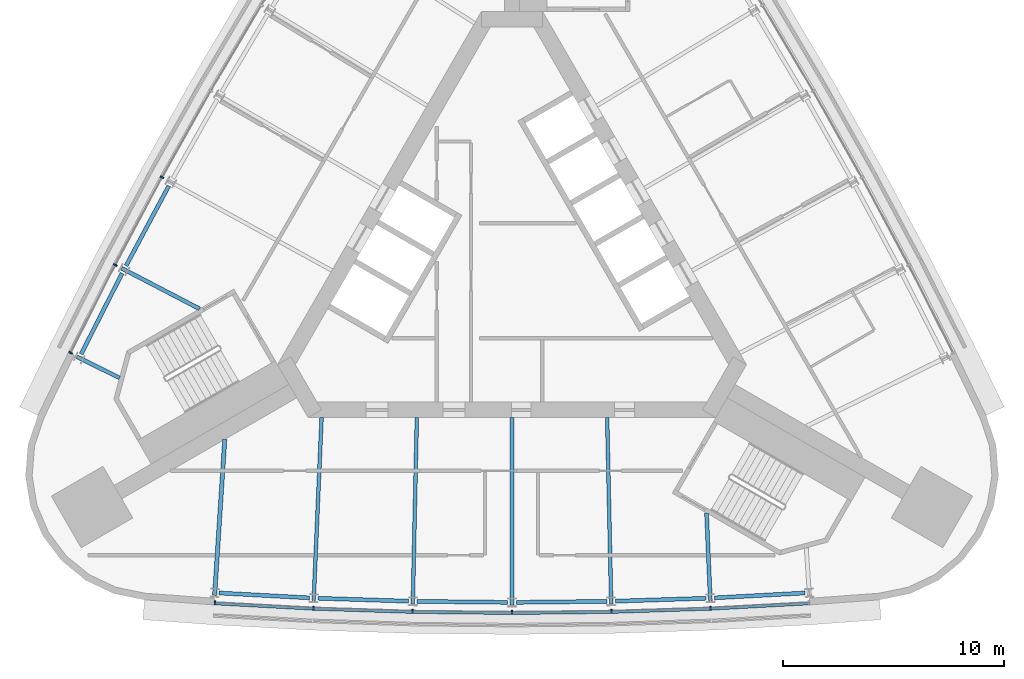
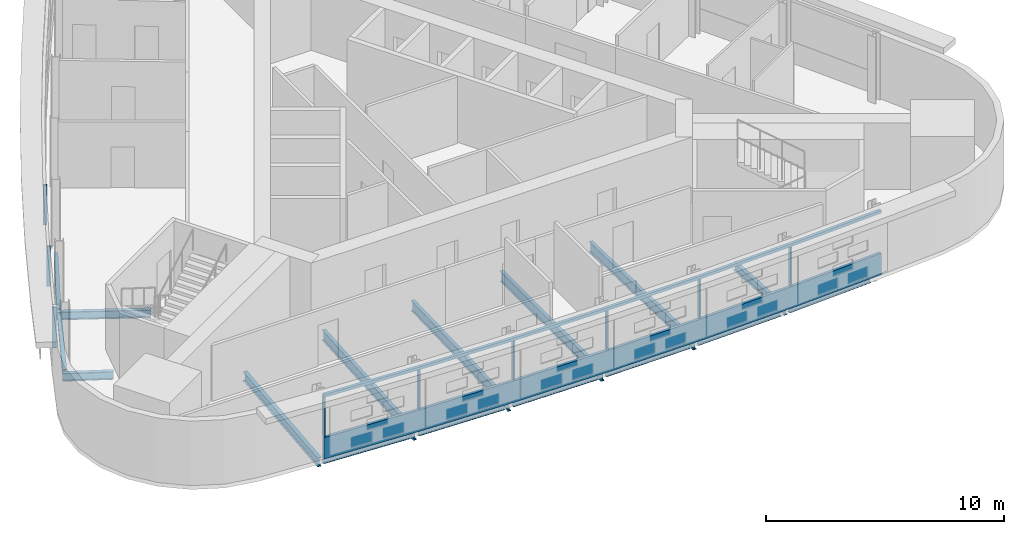
# One storey, part 2 of 10: 16 beams, 11 members, 2 elements without a shape of their own.
"""IFC4 building model written with IfcOpenShell, lengths in metres."""

from ifc_helpers import new_model, si_unit, direction, frame, origin, origin_2d, place, context, subcontext, project, spatial, polyline, rectangle, i_section, outline, extrude, material, material_profile, profile_set, type_object, element, aggregate, save


model = new_model("IFC4")

# Units and contexts
model_context = context("Model", 3, precision=1e-05, world=origin(), true_north=direction((0.0, 1.0)))
body_context = subcontext(model_context, "Body", "Model", "MODEL_VIEW")
ifc_project = project(units=[si_unit("LENGTHUNIT", "METRE"), si_unit("AREAUNIT", "SQUARE_METRE"), si_unit("VOLUMEUNIT", "CUBIC_METRE"), si_unit("PLANEANGLEUNIT", "RADIAN"), si_unit("MASSUNIT", "GRAM", prefix="KILO")], contexts=[model_context])

# Site, building, storey
site_placement = place(None, origin())
site = spatial("IfcSite", under=ifc_project, at=site_placement, CompositionType="ELEMENT")
building_placement = place(site_placement, origin())
building = spatial("IfcBuilding", under=site, at=building_placement, Name="Noor Cloister Tower", CompositionType="ELEMENT")
storey_placement = place(building_placement, frame((0.0, 0.0, 195.89990234375)))
storey = spatial("IfcBuildingStorey", under=building, at=storey_placement, Name="L50", CompositionType="ELEMENT", Elevation=195.89990234375)

# Curtain wall, member
ifc_material_1 = material(Name="Aluminium 6063-T6 anodised", Category="aluminium")
curtain_wall_type = type_object("IfcCurtainWallType", Name="Ribbon curtain wall, upper tower CW5", PredefinedType="NOTDEFINED", material=ifc_material_1)
curtain_wall_1_placement = place(storey_placement, origin())
curtain_wall_1 = element("IfcCurtainWall", 1, at=curtain_wall_1_placement, inside=storey, type_object=curtain_wall_type, Name="CW5 L50 S run 2", PredefinedType="NOTDEFINED")
ifc_material_2 = material(Name="Aluminium 6063-T6 anodised", Category="aluminium")
member_type_1 = type_object("IfcMemberType", Name="Head transom CW5 150", PredefinedType="USERDEFINED", material=ifc_material_2)
member_1_placement = place(storey_placement, frame((0.0, 0.0, 3.150146484375)))
member_1 = element("IfcMember", 2, at=member_1_placement, type_object=member_type_1, Name="CW5 head transom", ObjectType="TRANSOM", PredefinedType="USERDEFINED", context=body_context, shape_type="SweptSolid", body=[
    extrude(outline(polyline([(-13.490478515625, -15.404052734375), (-8.9970703125, -15.6474609375), (-4.499755859375, -15.79345703125), (0.0, -15.84228515625), (4.499755859375, -15.79345703125), (8.9970703125, -15.6474609375), (13.490478515625, -15.404052734375), (13.48291015625, -15.264404296875), (8.9912109375, -15.507568359375), (4.49658203125, -15.653564453125), (0.0, -15.7021484375), (-4.49658203125, -15.653564453125), (-8.9912109375, -15.507568359375), (-13.48291015625, -15.264404296875), (-13.490478515625, -15.404052734375)])), origin(), (0.0, 0.0, 1.0), 0.14990234375),
])

# Curtain wall, members
curtain_wall_2_placement = place(storey_placement, origin())
curtain_wall_2 = element("IfcCurtainWall", 3, at=curtain_wall_2_placement, inside=storey, type_object=curtain_wall_type, Name="CW5 L50 NW run 1", PredefinedType="NOTDEFINED")
ifc_material_3 = material(Name="Aluminium 6063-T6 anodised", Category="aluminium")
ifc_material_profile_1 = material_profile(ifc_material_3, rectangle(XDim=0.179931640625, YDim=0.070068359375, at=origin_2d()), Name="180 x 70 mullion")
ifc_profile_set_1 = profile_set([ifc_material_profile_1], Name="Aluminium 6063-T6 anodised")
member_type_2 = type_object("IfcMemberType", Name="Mullion CW5 70 x 180", PredefinedType="MULLION", material=ifc_profile_set_1)
member_2_placement = place(storey_placement, frame((-15.83984375, 3.951904296875, 1.10009765625), z_axis=(0.0, 0.0, 1.0), x_axis=(0.876641929033, -0.481143355208, 0.0)))
member_2 = element("IfcMember", 4, at=member_2_placement, type_object=member_type_2, Name="CW5 mullion 5", PredefinedType="MULLION", context=body_context, shape_type="SweptSolid", body=[
    extrude(rectangle(XDim=0.179931640625, YDim=0.070068359375, at=origin_2d()), origin(), (0.0, 0.0, 1.0), 2.050048828125),
])
member_3_placement = place(storey_placement, frame((-17.9609375, -0.01416015625, 1.10009765625), z_axis=(0.0, 0.0, 1.0), x_axis=(0.88684793719, -0.462061398845, 0.0)))
member_3 = element("IfcMember", 5, at=member_3_placement, type_object=member_type_2, Name="CW5 mullion 6", PredefinedType="MULLION", context=body_context, shape_type="SweptSolid", body=[
    extrude(rectangle(XDim=0.179931640625, YDim=0.070068359375, at=origin_2d()), origin(), (0.0, 0.0, 1.0), 2.050048828125),
])
member_4_placement = place(storey_placement, frame((-19.980712890625, -3.9951171875, 1.10009765625), z_axis=(0.0, 0.0, 1.0), x_axis=(0.891795492306, -0.452438725026, 0.0)))
member_4 = element("IfcMember", 6, at=member_4_placement, type_object=member_type_2, Name="CW5 mullion 7", PredefinedType="MULLION", context=body_context, shape_type="SweptSolid", body=[
    extrude(rectangle(XDim=0.179931640625, YDim=0.070068359375, at=origin_2d()), origin(), (0.0, 0.0, 1.0), 2.050048828125),
])
aggregate(curtain_wall_2, [member_2, member_3, member_4])

# Member
member_5_placement = place(storey_placement, frame((-13.4501953125, -15.30615234375, 1.10009765625), z_axis=(0.0, 0.0, 1.0), x_axis=(0.054074316624, 0.99853691383, 0.0)))
member_5 = element("IfcMember", 7, at=member_5_placement, type_object=member_type_2, Name="CW5 mullion 1", PredefinedType="MULLION", context=body_context, shape_type="SweptSolid", body=[
    extrude(rectangle(XDim=0.179931640625, YDim=0.070068359375, at=origin_2d()), origin(), (0.0, 0.0, 1.0), 2.050048828125),
])

member_6_placement = place(storey_placement, frame((-8.992919921875, -15.547607421875, 1.10009765625), z_axis=(0.0, 0.0, 1.0), x_axis=(0.043267059087, 0.999063542322, 0.0)))
member_6 = element("IfcMember", 8, at=member_6_placement, type_object=member_type_2, Name="CW5 mullion 2", PredefinedType="MULLION", context=body_context, shape_type="SweptSolid", body=[
    extrude(rectangle(XDim=0.179931640625, YDim=0.070068359375, at=origin_2d()), origin(), (0.0, 0.0, 1.0), 2.050048828125),
])

member_7_placement = place(storey_placement, frame((-4.49755859375, -15.693603515625, 1.10009765625), z_axis=(0.0, 0.0, 1.0), x_axis=(0.021638596044, 0.999765858169, 0.0)))
member_7 = element("IfcMember", 9, at=member_7_placement, type_object=member_type_2, Name="CW5 mullion 3", PredefinedType="MULLION", context=body_context, shape_type="SweptSolid", body=[
    extrude(rectangle(XDim=0.179931640625, YDim=0.070068359375, at=origin_2d()), origin(), (0.0, 0.0, 1.0), 2.050048828125),
])

member_8_placement = place(storey_placement, frame((0.0, -15.7421875, 1.10009765625), z_axis=(0.0, 0.0, 1.0), x_axis=(0.0, 1.0, 0.0)))
member_8 = element("IfcMember", 10, at=member_8_placement, type_object=member_type_2, Name="CW5 mullion 4", PredefinedType="MULLION", context=body_context, shape_type="SweptSolid", body=[
    extrude(rectangle(XDim=0.179931640625, YDim=0.070068359375, at=origin_2d()), origin(), (0.0, 0.0, 1.0), 2.050048828125),
])

member_9_placement = place(storey_placement, frame((4.49755859375, -15.693603515625, 1.10009765625), z_axis=(0.0, 0.0, 1.0), x_axis=(-0.021638596044, 0.999765858169, 0.0)))
member_9 = element("IfcMember", 11, at=member_9_placement, type_object=member_type_2, Name="CW5 mullion 5", PredefinedType="MULLION", context=body_context, shape_type="SweptSolid", body=[
    extrude(rectangle(XDim=0.179931640625, YDim=0.070068359375, at=origin_2d()), origin(), (0.0, 0.0, 1.0), 2.050048828125),
])

member_10_placement = place(storey_placement, frame((8.992919921875, -15.547607421875, 1.10009765625), z_axis=(0.0, 0.0, 1.0), x_axis=(-0.043267059087, 0.999063542322, 0.0)))
member_10 = element("IfcMember", 12, at=member_10_placement, type_object=member_type_2, Name="CW5 mullion 6", PredefinedType="MULLION", context=body_context, shape_type="SweptSolid", body=[
    extrude(rectangle(XDim=0.179931640625, YDim=0.070068359375, at=origin_2d()), origin(), (0.0, 0.0, 1.0), 2.050048828125),
])

# Beams
ifc_material_4 = material(Name="Steel ASTM A992 Gr 50", Category="steel")
ifc_material_profile_2 = material_profile(ifc_material_4, i_section(OverallWidth=0.177978515625, OverallDepth=0.406005859375, WebThickness=0.0078125, FlangeThickness=0.0126953125, FilletRadius=0.01025390625, at=origin_2d()), Name="W410x60")
ifc_profile_set_2 = profile_set([ifc_material_profile_2], Name="Steel ASTM A992 Gr 50")
beam_type_1 = type_object("IfcBeamType", Name="Radial beam W410x60", PredefinedType="BEAM", material=ifc_profile_set_2)
beam_1_placement = place(storey_placement, frame((-17.661376953125, -0.17041015625, -0.40283203125), z_axis=(0.886858939998, -0.462040280221, 0.0), x_axis=(0.462040280221, 0.886858939998, 0.0)))
element("IfcBeam", 13, at=beam_1_placement, inside=storey, type_object=beam_type_1, Name="Radial beam NW 06 L50", PredefinedType="BEAM", context=body_context, shape_type="SweptSolid", body=[
    extrude(i_section(OverallWidth=0.177978515625, OverallDepth=0.406005859375, WebThickness=0.0078125, FlangeThickness=0.0126953125, FilletRadius=0.01025390625, at=origin_2d()), origin(), (0.0, 0.0, 1.0), 3.96826171875),
])
beam_2_placement = place(storey_placement, frame((-19.69287109375, -4.175048828125, -0.40283203125), z_axis=(0.896620110466, -0.442800606942, 0.0), x_axis=(0.442800606942, 0.896620110466, 0.0)))
element("IfcBeam", 14, at=beam_2_placement, inside=storey, type_object=beam_type_1, Name="Radial beam NW 07 L50", PredefinedType="BEAM", context=body_context, shape_type="SweptSolid", body=[
    extrude(i_section(OverallWidth=0.177978515625, OverallDepth=0.406005859375, WebThickness=0.0078125, FlangeThickness=0.0126953125, FilletRadius=0.01025390625, at=origin_2d()), origin(), (0.0, 0.0, 1.0), 2.149169921875),
])
beam_3_placement = place(storey_placement, frame((8.978271484375, -15.2099609375, -0.40283203125), z_axis=(-0.043252992883, 0.999064151397, 0.0), x_axis=(-0.999064151397, -0.043252992883, 0.0)))
element("IfcBeam", 15, at=beam_3_placement, inside=storey, type_object=beam_type_1, Name="Radial beam S 06 L50", PredefinedType="BEAM", context=body_context, shape_type="SweptSolid", body=[
    extrude(i_section(OverallWidth=0.177978515625, OverallDepth=0.406005859375, WebThickness=0.0078125, FlangeThickness=0.0126953125, FilletRadius=0.01025390625, at=origin_2d()), origin(), (0.0, 0.0, 1.0), 3.968017578125),
])
ifc_material_5 = material(Name="Steel ASTM A992 Gr 50", Category="steel")
ifc_material_profile_3 = material_profile(ifc_material_5, i_section(OverallWidth=0.19091796875, OverallDepth=0.45703125, WebThickness=0.009033203125, FlangeThickness=0.014404296875, FilletRadius=0.01025390625, at=origin_2d()), Name="W460x74")
ifc_profile_set_3 = profile_set([ifc_material_profile_3], Name="Steel ASTM A992 Gr 50")
beam_type_2 = type_object("IfcBeamType", Name="Radial beam W460x74", PredefinedType="BEAM", material=ifc_profile_set_3)
beam_4_placement = place(storey_placement, frame((-13.462158203125, -14.967041015625, -0.428466796875), z_axis=(0.064882548643, 0.997892907521, 0.0), x_axis=(-0.997892907521, 0.064882548643, 0.0)))
element("IfcBeam", 16, at=beam_4_placement, inside=storey, type_object=beam_type_2, Name="Radial beam S 01 L50", PredefinedType="BEAM", context=body_context, shape_type="SweptSolid", body=[
    extrude(i_section(OverallWidth=0.19091796875, OverallDepth=0.45703125, WebThickness=0.009033203125, FlangeThickness=0.014404296875, FilletRadius=0.01025390625, at=origin_2d()), origin(), (0.0, 0.0, 1.0), 7.0703125),
])
ifc_material_6 = material(Name="Steel ASTM A992 Gr 50", Category="steel")
ifc_material_profile_4 = material_profile(ifc_material_6, i_section(OverallWidth=0.166015625, OverallDepth=0.528076171875, WebThickness=0.009765625, FlangeThickness=0.013671875, FilletRadius=0.0126953125, at=origin_2d()), Name="W530x74")
ifc_profile_set_4 = profile_set([ifc_material_profile_4], Name="Steel ASTM A992 Gr 50")
beam_type_3 = type_object("IfcBeamType", Name="Radial beam W530x74", PredefinedType="BEAM", material=ifc_profile_set_4)
beam_5_placement = place(storey_placement, frame((-8.978271484375, -15.2099609375, -0.4638671875), z_axis=(0.04326468059, 0.999063645327, 0.0), x_axis=(-0.999063645327, 0.04326468059, 0.0)))
element("IfcBeam", 17, at=beam_5_placement, inside=storey, type_object=beam_type_3, Name="Radial beam S 02 L50", PredefinedType="BEAM", context=body_context, shape_type="SweptSolid", body=[
    extrude(i_section(OverallWidth=0.166015625, OverallDepth=0.528076171875, WebThickness=0.009765625, FlangeThickness=0.013671875, FilletRadius=0.0126953125, at=origin_2d()), origin(), (0.0, 0.0, 1.0), 8.28955078125),
])
beam_6_placement = place(storey_placement, frame((-4.490234375, -15.355712890625, -0.4638671875), z_axis=(0.021635190796, 0.999765931866, 0.0), x_axis=(-0.999765931866, 0.021635190796, 0.0)))
element("IfcBeam", 18, at=beam_6_placement, inside=storey, type_object=beam_type_3, Name="Radial beam S 03 L50", PredefinedType="BEAM", context=body_context, shape_type="SweptSolid", body=[
    extrude(i_section(OverallWidth=0.166015625, OverallDepth=0.528076171875, WebThickness=0.009765625, FlangeThickness=0.013671875, FilletRadius=0.0126953125, at=origin_2d()), origin(), (0.0, 0.0, 1.0), 8.429443359375),
])
beam_7_placement = place(storey_placement, frame((0.0, -15.404296875, -0.4638671875), z_axis=(0.0, 1.0, 0.0), x_axis=(-1.0, 0.0, 0.0)))
element("IfcBeam", 19, at=beam_7_placement, inside=storey, type_object=beam_type_3, Name="Radial beam S 04 L50", PredefinedType="BEAM", context=body_context, shape_type="SweptSolid", body=[
    extrude(i_section(OverallWidth=0.166015625, OverallDepth=0.528076171875, WebThickness=0.009765625, FlangeThickness=0.013671875, FilletRadius=0.0126953125, at=origin_2d()), origin(), (0.0, 0.0, 1.0), 8.47607421875),
])
beam_8_placement = place(storey_placement, frame((4.490234375, -15.355712890625, -0.4638671875), z_axis=(-0.021635190796, 0.999765931866, 0.0), x_axis=(-0.999765931866, -0.021635190796, 0.0)))
element("IfcBeam", 20, at=beam_8_placement, inside=storey, type_object=beam_type_3, Name="Radial beam S 05 L50", PredefinedType="BEAM", context=body_context, shape_type="SweptSolid", body=[
    extrude(i_section(OverallWidth=0.166015625, OverallDepth=0.528076171875, WebThickness=0.009765625, FlangeThickness=0.013671875, FilletRadius=0.0126953125, at=origin_2d()), origin(), (0.0, 0.0, 1.0), 8.429443359375),
])

# Member
ifc_material_7 = material(Name="Aluminium 6063-T6 anodised", Category="aluminium")
member_type_3 = type_object("IfcMemberType", Name="Sill transom CW5 1100", PredefinedType="USERDEFINED", material=ifc_material_7)
member_11_placement = place(storey_placement, origin())
member_11 = element("IfcMember", 21, at=member_11_placement, type_object=member_type_3, Name="CW5 sill transom", ObjectType="TRANSOM", PredefinedType="USERDEFINED", context=body_context, shape_type="SweptSolid", body=[
    extrude(outline(polyline([(-13.490478515625, -15.404052734375), (-8.9970703125, -15.6474609375), (-4.499755859375, -15.79345703125), (0.0, -15.84228515625), (4.499755859375, -15.79345703125), (8.9970703125, -15.6474609375), (13.490478515625, -15.404052734375), (13.48291015625, -15.264404296875), (8.9912109375, -15.507568359375), (4.49658203125, -15.653564453125), (0.0, -15.7021484375), (-4.49658203125, -15.653564453125), (-8.9912109375, -15.507568359375), (-13.48291015625, -15.264404296875), (-13.490478515625, -15.404052734375)])), origin(), (0.0, 0.0, 1.0), 1.10009765625),
])

aggregate(curtain_wall_1, [member_5, member_6, member_7, member_8, member_9, member_10, member_11, member_1])

# Beams
ifc_material_8 = material(Name="Steel ASTM A992 Gr 50", Category="steel")
ifc_material_profile_5 = material_profile(ifc_material_8, i_section(OverallWidth=0.177978515625, OverallDepth=0.406005859375, WebThickness=0.0078125, FlangeThickness=0.0126953125, FilletRadius=0.01025390625, at=origin_2d()), Name="W410x60")
ifc_profile_set_5 = profile_set([ifc_material_profile_5], Name="Steel ASTM A992 Gr 50")
beam_type_4 = type_object("IfcBeamType", Name="Spandrel beam W410x60", PredefinedType="SPANDREL", material=ifc_profile_set_5)
for number, where, z_axis, x_axis, name in (
    (22, (-15.5380859375, 3.5615234375, -0.40283203125), (-0.471637153949, -0.881792716581, 0.0), (0.881792716581, -0.471637153949, 0.0), "Spandrel beam NW 05 L50"),
    (23, (-17.651123046875, -0.39794921875, -0.40283203125), (-0.452453813184, -0.8917878374, 0.0), (0.8917878374, -0.452453813184, 0.0), "Spandrel beam NW 06 L50"),
    (24, (-13.258056640625, -14.865966796875, -0.40283203125), (0.998536099071, -0.054089359882, 0.0), (0.054089359882, 0.998536099071, 0.0), "Spandrel beam S 01 L50"),
):
    element("IfcBeam", number, at=place(storey_placement, frame(where, z_axis=z_axis, x_axis=x_axis)), inside=storey, type_object=beam_type_4, Name=name, PredefinedType="SPANDREL", context=body_context, shape_type="SweptSolid", body=[
        extrude(i_section(OverallWidth=0.177978515625, OverallDepth=0.406005859375, WebThickness=0.0078125, FlangeThickness=0.0126953125, FilletRadius=0.01025390625, at=origin_2d()), origin(), (0.0, 0.0, 1.0), 4.093994140625),
    ])
beam_9_placement = place(storey_placement, frame((-8.776611328125, -15.1044921875, -0.40283203125), z_axis=(0.999473710144, -0.032439215937, 0.0), x_axis=(0.032439215937, 0.999473710144, 0.0)))
element("IfcBeam", 25, at=beam_9_placement, inside=storey, type_object=beam_type_4, Name="Spandrel beam S 02 L50", PredefinedType="SPANDREL", context=body_context, shape_type="SweptSolid", body=[
    extrude(i_section(OverallWidth=0.177978515625, OverallDepth=0.406005859375, WebThickness=0.0078125, FlangeThickness=0.0126953125, FilletRadius=0.01025390625, at=origin_2d()), origin(), (0.0, 0.0, 1.0), 4.09423828125),
])
for number, where, z_axis, x_axis, name in (
    (26, (-4.290771484375, -15.245849609375, -0.40283203125), (0.999941745876, -0.010793741412, 0.0), (0.010793741412, 0.999941745876, 0.0), "Spandrel beam S 03 L50"),
    (27, (0.197021484375, -15.2900390625, -0.40283203125), (0.999941745876, 0.010793741412, 0.0), (-0.010793741412, 0.999941745876, 0.0), "Spandrel beam S 04 L50"),
):
    element("IfcBeam", number, at=place(storey_placement, frame(where, z_axis=z_axis, x_axis=x_axis)), inside=storey, type_object=beam_type_4, Name=name, PredefinedType="SPANDREL", context=body_context, shape_type="SweptSolid", body=[
        extrude(i_section(OverallWidth=0.177978515625, OverallDepth=0.406005859375, WebThickness=0.0078125, FlangeThickness=0.0126953125, FilletRadius=0.01025390625, at=origin_2d()), origin(), (0.0, 0.0, 1.0), 4.093994140625),
    ])
beam_10_placement = place(storey_placement, frame((4.6845703125, -15.2373046875, -0.40283203125), z_axis=(0.999473710144, 0.032439215937, 0.0), x_axis=(-0.032439215937, 0.999473710144, 0.0)))
element("IfcBeam", 28, at=beam_10_placement, inside=storey, type_object=beam_type_4, Name="Spandrel beam S 05 L50", PredefinedType="SPANDREL", context=body_context, shape_type="SweptSolid", body=[
    extrude(i_section(OverallWidth=0.177978515625, OverallDepth=0.406005859375, WebThickness=0.0078125, FlangeThickness=0.0126953125, FilletRadius=0.01025390625, at=origin_2d()), origin(), (0.0, 0.0, 1.0), 4.09423828125),
])
beam_11_placement = place(storey_placement, frame((9.170166015625, -15.08740234375, -0.40283203125), z_axis=(0.998536099071, 0.054089359882, 0.0), x_axis=(-0.054089359882, 0.998536099071, 0.0)))
element("IfcBeam", 29, at=beam_11_placement, inside=storey, type_object=beam_type_4, Name="Spandrel beam S 06 L50", PredefinedType="SPANDREL", context=body_context, shape_type="SweptSolid", body=[
    extrude(i_section(OverallWidth=0.177978515625, OverallDepth=0.406005859375, WebThickness=0.0078125, FlangeThickness=0.0126953125, FilletRadius=0.01025390625, at=origin_2d()), origin(), (0.0, 0.0, 1.0), 4.093994140625),
])

save(model, "model.ifc")
